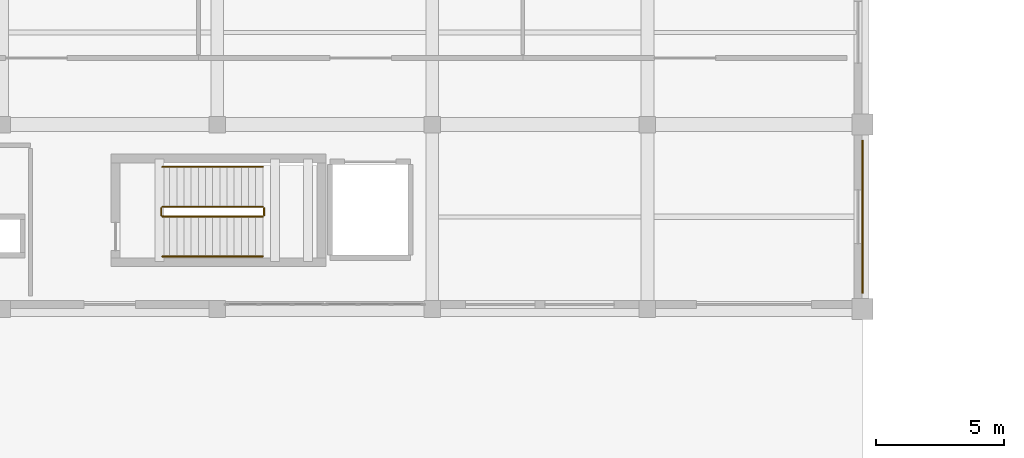
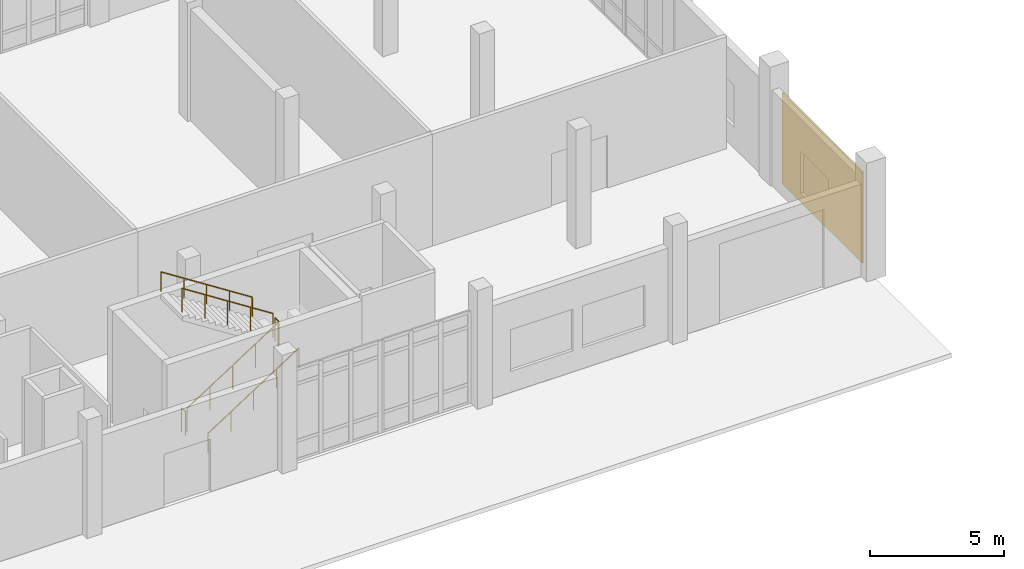
# One storey, part 68 of 79: 6 railings, 1 covering.
"""IFC4 building model written with IfcOpenShell, lengths in metres."""

from ifc_helpers import new_model, si_unit, direction, frame, origin, origin_2d, place, context, subcontext, project, spatial, rectangle, circle, extrude, material, layer, layer_set, type_object, element, save


model = new_model("IFC4")

# Units and contexts
model_context = context("Model", 3, precision=1e-05, world=origin(), true_north=direction((0.0, 1.0)))
body_context = subcontext(model_context, "Body", "Model", "MODEL_VIEW")
ifc_project = project(units=[si_unit("LENGTHUNIT", "METRE"), si_unit("AREAUNIT", "SQUARE_METRE"), si_unit("VOLUMEUNIT", "CUBIC_METRE"), si_unit("PLANEANGLEUNIT", "RADIAN"), si_unit("MASSUNIT", "GRAM", prefix="KILO")], contexts=[model_context])

# Site, building, storey
site_placement = place(None, origin())
site = spatial("IfcSite", under=ifc_project, at=site_placement, CompositionType="ELEMENT")
building_placement = place(site_placement, origin())
building = spatial("IfcBuilding", under=site, at=building_placement, Name="Kelarvand Opera House", CompositionType="ELEMENT")
storey_placement = place(building_placement, origin())
storey = spatial("IfcBuildingStorey", under=building, at=storey_placement, Name="L00", CompositionType="ELEMENT", Elevation=0.0)

# Covering
ifc_material_1 = material(Name="Azarshahr buff travertine stone panels", Category="masonry")
ifc_layer = layer(ifc_material_1, 0.06005859375, Name="Azarshahr buff travertine stone panels", Category="masonry")
ifc_layer_set = layer_set([ifc_layer], Name="Azarshahr buff travertine stone panels")
covering_type = type_object("IfcCoveringType", Name="Azarshahr Honed Travertine Rainscreen Cladding 60mm", PredefinedType="CLADDING", material=ifc_layer_set)
covering_placement = place(storey_placement, frame((51.006103515625, 12.60009765625, 0.099853515625), z_axis=(0.0, 0.0, 1.0), x_axis=(0.0, -1.0, 0.0)))
element("IfcCovering", 1, at=covering_placement, inside=storey, type_object=covering_type, Name="V4 Travertine Facade Cladding 15", PredefinedType="CLADDING", context=body_context, shape_type="SweptSolid", body=[
    extrude(rectangle(XDim=5.97998046875, YDim=0.06005859375, at=origin_2d()), origin(), (0.0, 0.0, 1.0), 4.14208984375),
])

# Railings
ifc_material_2 = material(Name="Brushed bronze tubular rail")
railing_type_1 = type_object("IfcRailingType", Name="Brushed Bronze Stair Wall Handrail 900", PredefinedType="HANDRAIL", material=ifc_material_2)
railing_1_placement = place(storey_placement, frame((23.659912109375, 11.050048828125, 0.179931640625)))
element("IfcRailing", 2, at=railing_1_placement, inside=storey, type_object=railing_type_1, Name="L00 ST-06 stair handrail 1", PredefinedType="HANDRAIL", context=body_context, shape_type="SweptSolid", body=[
    extrude(circle(Radius=0.02392578125, at=origin_2d()), frame((0.0, 0.0, 0.8759765625), z_axis=(0.841186985886, 0.0, 0.540744352514), x_axis=(0.0, 1.0, 0.0)), (0.0, 0.0, 1.0), 4.660400390625),
    extrude(circle(Radius=0.02099609375, at=origin_2d()), origin(), (0.0, 0.0, 1.0), 0.851806640625),
    extrude(circle(Radius=0.02099609375, at=origin_2d()), frame((0.97998046875, 0.0, 0.6298828125)), (0.0, 0.0, 1.0), 0.851806640625),
    extrude(circle(Radius=0.02099609375, at=origin_2d()), frame((1.9599609375, 0.0, 1.260009765625)), (0.0, 0.0, 1.0), 0.851806640625),
    extrude(circle(Radius=0.02099609375, at=origin_2d()), frame((2.940185546875, 0.0, 1.89013671875)), (0.0, 0.0, 1.0), 0.851806640625),
    extrude(circle(Radius=0.02099609375, at=origin_2d()), frame((3.920166015625, 0.0, 2.52001953125)), (0.0, 0.0, 1.0), 0.851806640625),
])
railing_2_placement = place(storey_placement, frame((27.580078125, 14.550048828125, 2.8798828125)))
element("IfcRailing", 3, at=railing_2_placement, inside=storey, type_object=railing_type_1, Name="L00 ST-06 stair handrail 2", PredefinedType="HANDRAIL", context=body_context, shape_type="SweptSolid", body=[
    extrude(circle(Radius=0.02392578125, at=origin_2d()), frame((0.0, 0.0, 0.8759765625), z_axis=(-0.841186985886, 0.0, 0.540744352514), x_axis=(0.0, -1.0, 0.0)), (0.0, 0.0, 1.0), 4.660400390625),
    extrude(circle(Radius=0.02099609375, at=origin_2d()), origin(), (0.0, 0.0, 1.0), 0.851806640625),
    extrude(circle(Radius=0.02099609375, at=origin_2d()), frame((-0.97998046875, 0.0, 0.6298828125)), (0.0, 0.0, 1.0), 0.851806640625),
    extrude(circle(Radius=0.02099609375, at=origin_2d()), frame((-1.9599609375, 0.0, 1.260009765625)), (0.0, 0.0, 1.0), 0.851806640625),
    extrude(circle(Radius=0.02099609375, at=origin_2d()), frame((-2.940185546875, 0.0, 1.89013671875)), (0.0, 0.0, 1.0), 0.851806640625),
    extrude(circle(Radius=0.02099609375, at=origin_2d()), frame((-3.920166015625, 0.0, 2.52001953125)), (0.0, 0.0, 1.0), 0.851806640625),
])
ifc_material_3 = material(Name="Powder-coated Steel S355", Category="steel")
railing_type_2 = type_object("IfcRailingType", Name="Painted Steel Stair and Void Guardrail 1100", PredefinedType="GUARDRAIL", material=ifc_material_3)
railing_3_placement = place(storey_placement, frame((23.659912109375, 12.610107421875, 0.179931640625)))
element("IfcRailing", 4, at=railing_3_placement, inside=storey, type_object=railing_type_2, Name="L00 ST-06 stair guard 1", PredefinedType="GUARDRAIL", context=body_context, shape_type="SweptSolid", body=[
    extrude(circle(Radius=0.02392578125, at=origin_2d()), frame((0.0, 0.0, 1.076171875), z_axis=(0.841186985886, 0.0, 0.540744352514), x_axis=(0.0, 1.0, 0.0)), (0.0, 0.0, 1.0), 4.660400390625),
    extrude(circle(Radius=0.02099609375, at=origin_2d()), origin(), (0.0, 0.0, 1.0), 1.052001953125),
    extrude(circle(Radius=0.02099609375, at=origin_2d()), frame((0.97998046875, 0.0, 0.6298828125)), (0.0, 0.0, 1.0), 1.052001953125),
    extrude(circle(Radius=0.02099609375, at=origin_2d()), frame((1.9599609375, 0.0, 1.260009765625)), (0.0, 0.0, 1.0), 1.052001953125),
    extrude(circle(Radius=0.02099609375, at=origin_2d()), frame((2.940185546875, 0.0, 1.89013671875)), (0.0, 0.0, 1.0), 1.052001953125),
    extrude(circle(Radius=0.02099609375, at=origin_2d()), frame((3.920166015625, 0.0, 2.52001953125)), (0.0, 0.0, 1.0), 1.052001953125),
])
railing_4_placement = place(storey_placement, frame((27.6298828125, 12.659912109375, 2.699951171875)))
element("IfcRailing", 5, at=railing_4_placement, inside=storey, type_object=railing_type_2, Name="L00 ST-06 stair guard 2", PredefinedType="GUARDRAIL", context=body_context, shape_type="SweptSolid", body=[
    extrude(circle(Radius=0.02392578125, at=origin_2d()), frame((0.0, 0.0, 1.076171875), z_axis=(0.0, 1.0, 0.0), x_axis=(-1.0, 0.0, 0.0)), (0.0, 0.0, 1.0), 0.280029296875),
    extrude(circle(Radius=0.02099609375, at=origin_2d()), origin(), (0.0, 0.0, 1.0), 1.052001953125),
    extrude(circle(Radius=0.02099609375, at=origin_2d()), frame((0.0, 0.280029296875, 0.0)), (0.0, 0.0, 1.0), 1.052001953125),
])
railing_5_placement = place(storey_placement, frame((27.580078125, 12.989990234375, 2.8798828125)))
element("IfcRailing", 6, at=railing_5_placement, inside=storey, type_object=railing_type_2, Name="L00 ST-06 stair guard 3", PredefinedType="GUARDRAIL", context=body_context, shape_type="SweptSolid", body=[
    extrude(circle(Radius=0.02392578125, at=origin_2d()), frame((0.0, 0.0, 1.076171875), z_axis=(-0.841186985886, 0.0, 0.540744352514), x_axis=(0.0, -1.0, 0.0)), (0.0, 0.0, 1.0), 4.660400390625),
    extrude(circle(Radius=0.02099609375, at=origin_2d()), origin(), (0.0, 0.0, 1.0), 1.052001953125),
    extrude(circle(Radius=0.02099609375, at=origin_2d()), frame((-0.97998046875, 0.0, 0.6298828125)), (0.0, 0.0, 1.0), 1.052001953125),
    extrude(circle(Radius=0.02099609375, at=origin_2d()), frame((-1.9599609375, 0.0, 1.260009765625)), (0.0, 0.0, 1.0), 1.052001953125),
    extrude(circle(Radius=0.02099609375, at=origin_2d()), frame((-2.940185546875, 0.0, 1.89013671875)), (0.0, 0.0, 1.0), 1.052001953125),
    extrude(circle(Radius=0.02099609375, at=origin_2d()), frame((-3.920166015625, 0.0, 2.52001953125)), (0.0, 0.0, 1.0), 1.052001953125),
])
railing_6_placement = place(storey_placement, frame((23.610107421875, 12.659912109375, 0.0)))
element("IfcRailing", 7, at=railing_6_placement, inside=storey, type_object=railing_type_2, Name="L00 ST-06 stair guard 4", PredefinedType="GUARDRAIL", context=body_context, shape_type="SweptSolid", body=[
    extrude(circle(Radius=0.02392578125, at=origin_2d()), frame((0.0, 0.0, 1.076171875), z_axis=(0.0, 1.0, 0.0), x_axis=(-1.0, 0.0, 0.0)), (0.0, 0.0, 1.0), 0.280029296875),
    extrude(circle(Radius=0.02099609375, at=origin_2d()), origin(), (0.0, 0.0, 1.0), 1.052001953125),
    extrude(circle(Radius=0.02099609375, at=origin_2d()), frame((0.0, 0.280029296875, 0.0)), (0.0, 0.0, 1.0), 1.052001953125),
])

save(model, "model.ifc")
